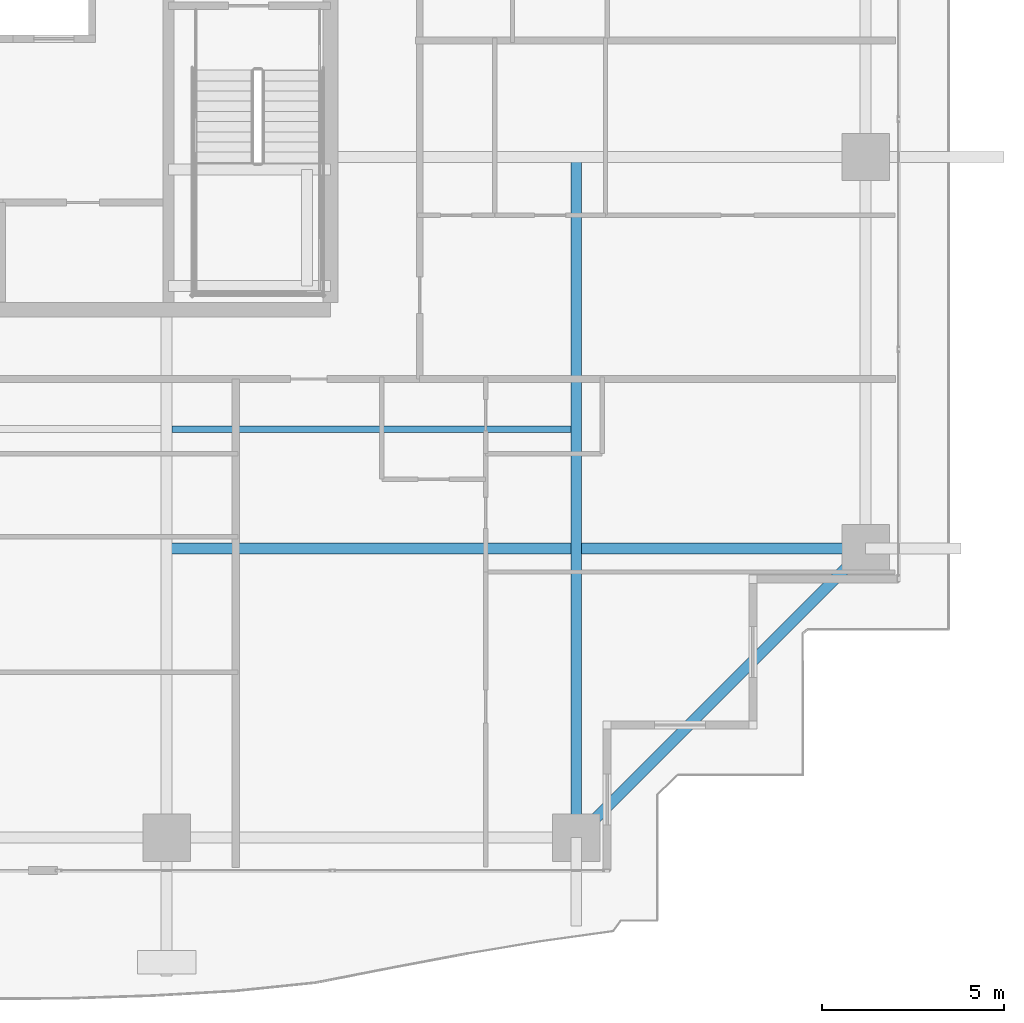
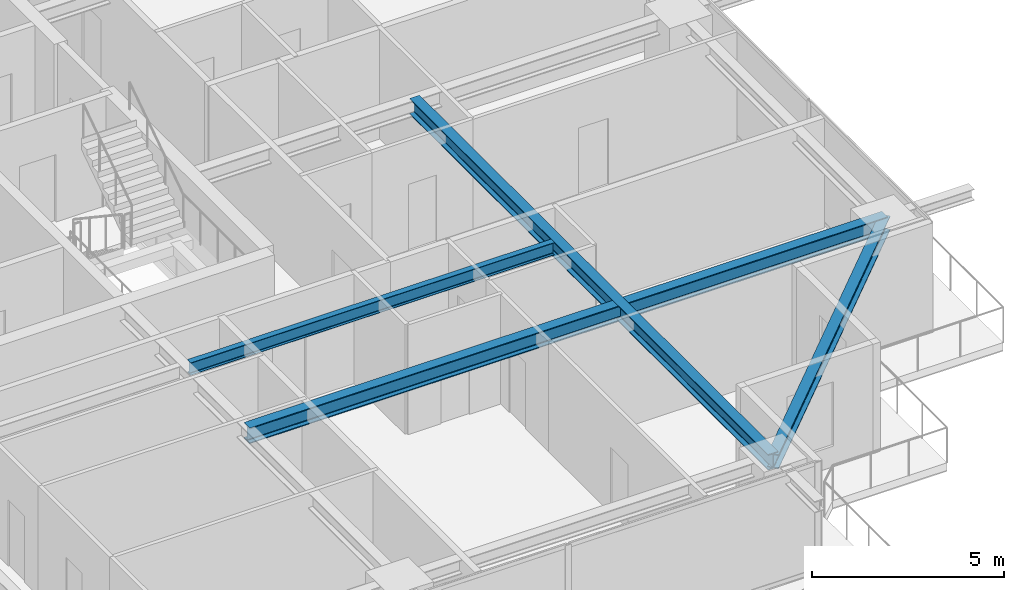
# One storey, part 11 of 35: 4 beams.
"""IFC4 building model written with IfcOpenShell, lengths in metres."""

from ifc_helpers import new_model, si_unit, direction, frame, origin, origin_2d, place, context, subcontext, project, spatial, i_section, extrude, source, transform, mapped, material, material_profile, profile_set, type_object, element, save


model = new_model("IFC4")

# Units and contexts
model_context = context("Model", 3, precision=1e-05, world=origin(), true_north=direction((0.0, 1.0)))
body_context = subcontext(model_context, "Body", "Model", "MODEL_VIEW")
ifc_project = project(units=[si_unit("LENGTHUNIT", "METRE"), si_unit("AREAUNIT", "SQUARE_METRE"), si_unit("VOLUMEUNIT", "CUBIC_METRE"), si_unit("PLANEANGLEUNIT", "RADIAN"), si_unit("MASSUNIT", "GRAM", prefix="KILO")], contexts=[model_context])

# Site, building, storey
site_placement = place(None, origin())
site = spatial("IfcSite", under=ifc_project, at=site_placement, CompositionType="ELEMENT")
building_placement = place(site_placement, origin())
building = spatial("IfcBuilding", under=site, at=building_placement, Name="Serunith Strait Residences", CompositionType="ELEMENT")
storey_placement = place(building_placement, frame((0.0, 0.0, 157.64990234375)))
storey = spatial("IfcBuildingStorey", under=building, at=storey_placement, Name="L39", CompositionType="ELEMENT", Elevation=157.64990234375)

# Beams
ifc_material = material(Name="Steel S355J2", Category="steel")
ifc_material_profile_1 = material_profile(ifc_material, i_section(OverallWidth=0.300048828125, OverallDepth=0.5, WebThickness=0.014404296875, FlangeThickness=0.028076171875, FilletRadius=0.027099609375, at=origin_2d()), Name="HEB 500")
ifc_profile_set_1 = profile_set([ifc_material_profile_1], Name="Steel S355J2")
beam_type_1 = type_object("IfcBeamType", Name="BM-HEB500", PredefinedType="BEAM", material=ifc_profile_set_1)
shared_shape_1 = source(origin(), body_context, "Body", "SweptSolid", [
    extrude(i_section(OverallWidth=0.300048828125, OverallDepth=0.5, WebThickness=0.014404296875, FlangeThickness=0.028076171875, FilletRadius=0.027099609375, at=origin_2d()), origin(), (0.0, 0.0, 1.0), 18.699951171875),
])
beam_1_placement = place(storey_placement, frame((48.14990234375, 21.0, 3.237060546875), z_axis=(0.0, -1.0, 0.0), x_axis=(1.0, 0.0, 0.0)))
element("IfcBeam", 1, at=beam_1_placement, inside=storey, type_object=beam_type_1, Name="L39 Orthogonal Corner Girder TC-S4", PredefinedType="BEAM", context=body_context, shape_type="MappedRepresentation", body=[
    mapped(shared_shape_1, transform((0.0, 0.0, 0.0), scale=1.0)),
])
shared_shape_2 = source(origin(), body_context, "Body", "SweptSolid", [
    extrude(i_section(OverallWidth=0.300048828125, OverallDepth=0.5, WebThickness=0.014404296875, FlangeThickness=0.028076171875, FilletRadius=0.027099609375, at=origin_2d()), origin(), (0.0, 0.0, 1.0), 19.2001953125),
])
beam_2_placement = place(storey_placement, frame((36.89990234375, 10.25, 3.237060546875), z_axis=(1.0, 0.0, 0.0), x_axis=(0.0, 1.0, 0.0)))
element("IfcBeam", 2, at=beam_2_placement, inside=storey, type_object=beam_type_1, Name="L39 Orthogonal Corner Girder TC-E1", PredefinedType="BEAM", context=body_context, shape_type="MappedRepresentation", body=[
    mapped(shared_shape_2, transform((0.0, 0.0, 0.0), scale=1.0)),
])
ifc_material_profile_2 = material_profile(ifc_material, i_section(OverallWidth=0.300048828125, OverallDepth=0.449951171875, WebThickness=0.013916015625, FlangeThickness=0.02587890625, FilletRadius=0.027099609375, at=origin_2d()), Name="HEB 450")
ifc_profile_set_2 = profile_set([ifc_material_profile_2], Name="Steel S355J2")
beam_type_2 = type_object("IfcBeamType", Name="BM-HEB450", PredefinedType="BEAM", material=ifc_profile_set_2)
shared_shape_3 = source(origin(), body_context, "Body", "SweptSolid", [
    extrude(i_section(OverallWidth=0.300048828125, OverallDepth=0.449951171875, WebThickness=0.013916015625, FlangeThickness=0.02587890625, FilletRadius=0.027099609375, at=origin_2d()), origin(), (0.0, 0.0, 1.0), 11.2431640625),
])
beam_3_placement = place(storey_placement, frame((48.14990234375, 2.300048828125, 3.232177734375), z_axis=(0.707117638455, 0.707095923751, 0.0), x_axis=(-0.707095923751, 0.707117638455, 0.0)))
element("IfcBeam", 3, at=beam_3_placement, inside=storey, type_object=beam_type_2, Name="L39 Perimeter Ring Beam 04", PredefinedType="BEAM", context=body_context, shape_type="MappedRepresentation", body=[
    mapped(shared_shape_3, transform((0.0, 0.0, 0.0), scale=1.0)),
])
ifc_material_profile_3 = material_profile(ifc_material, i_section(OverallWidth=0.179931640625, OverallDepth=0.39990234375, WebThickness=0.008544921875, FlangeThickness=0.013427734375, FilletRadius=0.02099609375, at=origin_2d()), Name="IPE 400")
ifc_profile_set_3 = profile_set([ifc_material_profile_3], Name="Steel S355J2")
beam_type_3 = type_object("IfcBeamType", Name="BM-IPE400", PredefinedType="JOIST", material=ifc_profile_set_3)
shared_shape_4 = source(origin(), body_context, "Body", "SweptSolid", [
    extrude(i_section(OverallWidth=0.179931640625, OverallDepth=0.39990234375, WebThickness=0.008544921875, FlangeThickness=0.013427734375, FilletRadius=0.02099609375, at=origin_2d()), origin(), (0.0, 0.0, 1.0), 10.949951171875),
])
beam_4_placement = place(storey_placement, frame((37.050048828125, 13.52490234375, 3.287109375), z_axis=(1.0, 0.0, 0.0), x_axis=(0.0, 1.0, 0.0)))
element("IfcBeam", 4, at=beam_4_placement, inside=storey, type_object=beam_type_3, Name="L39 Composite Floor Joist 03", PredefinedType="JOIST", context=body_context, shape_type="MappedRepresentation", body=[
    mapped(shared_shape_4, transform((0.0, 0.0, 0.0), scale=1.0)),
])

save(model, "model.ifc")
